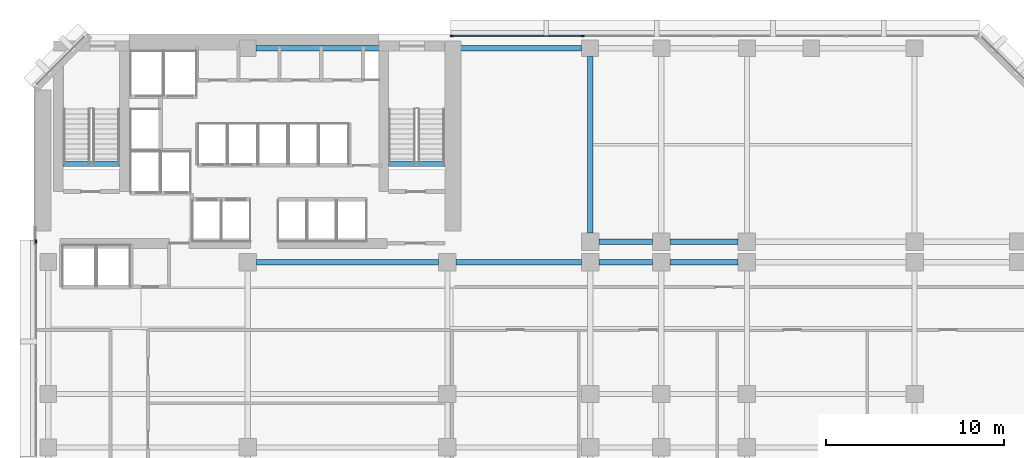
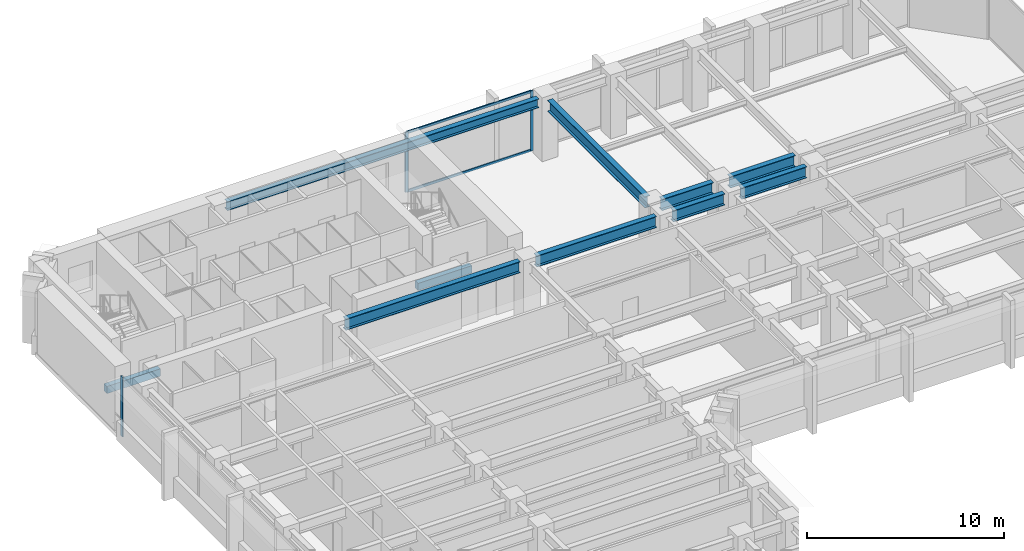
# One storey, part 4 of 13: 10 beams, 5 members, 2 elements without a shape of their own.
"""IFC4 building model written with IfcOpenShell, lengths in metres."""

from ifc_helpers import new_model, si_unit, direction, frame, origin, origin_2d, place, context, subcontext, project, spatial, rectangle, i_section, extrude, material, layer, layer_set, material_profile, profile_set, type_object, element, aggregate, save


model = new_model("IFC4")

# Units and contexts
model_context = context("Model", 3, precision=1e-05, world=origin(), true_north=direction((0.0, 1.0)))
body_context = subcontext(model_context, "Body", "Model", "MODEL_VIEW")
ifc_project = project(units=[si_unit("LENGTHUNIT", "METRE"), si_unit("AREAUNIT", "SQUARE_METRE"), si_unit("VOLUMEUNIT", "CUBIC_METRE"), si_unit("PLANEANGLEUNIT", "RADIAN"), si_unit("MASSUNIT", "GRAM", prefix="KILO")], contexts=[model_context])

# Site, building, storey
site_placement = place(None, origin())
site = spatial("IfcSite", under=ifc_project, at=site_placement, CompositionType="ELEMENT")
building_placement = place(site_placement, origin())
building = spatial("IfcBuilding", under=site, at=building_placement, Name="Kefirva Bronze Tower", CompositionType="ELEMENT")
storey_placement = place(building_placement, frame((0.0, 0.0, 81.840087890625)))
storey = spatial("IfcBuildingStorey", under=building, at=storey_placement, Name="L19", CompositionType="ELEMENT", Elevation=81.840087890625)

# Curtain wall, members
ifc_material_1 = material(Name="Bronze anodised aluminium", Category="aluminium")
ifc_layer = layer(ifc_material_1, 0.199951171875, Name="Bronze anodised aluminium")
ifc_layer_set = layer_set([ifc_layer], Name="Bronze anodised aluminium")
curtain_wall_type = type_object("IfcCurtainWallType", Name="Unitised Bronze Ribbon Curtain Wall Zone 1", PredefinedType="USERDEFINED", material=ifc_layer_set)
curtain_wall_1_placement = place(storey_placement, origin())
curtain_wall_1 = element("IfcCurtainWall", 1, at=curtain_wall_1_placement, inside=storey, type_object=curtain_wall_type, Name="L19 Curtain Wall 4", ObjectType="UNITISED CURTAIN WALL", PredefinedType="USERDEFINED")
ifc_material_profile_1 = material_profile(ifc_material_1, rectangle(XDim=0.074951171875, YDim=0.179931640625, at=origin_2d()), Name="ALU 75x180")
ifc_profile_set_1 = profile_set([ifc_material_profile_1], Name="Bronze anodised aluminium")
member_type_1 = type_object("IfcMemberType", Name="Bronze Mullion 75x180", PredefinedType="MULLION", material=ifc_profile_set_1)
member_1_placement = place(storey_placement, frame((30.7900390625, 45.8798828125, 0.0), z_axis=(0.0, 0.0, 1.0), x_axis=(0.0, -1.0, 0.0)))
member_1 = element("IfcMember", 2, at=member_1_placement, type_object=member_type_1, Name="CW-01 mullion 4", PredefinedType="MULLION", context=body_context, shape_type="SweptSolid", body=[
    extrude(rectangle(XDim=0.074951171875, YDim=0.179931640625, at=origin_2d()), origin(), (0.0, 0.0, 1.0), 3.7099609375),
])
member_2_placement = place(storey_placement, frame((23.4423828125, 45.8798828125, 0.0), z_axis=(0.0, 0.0, 1.0), x_axis=(0.0, -1.0, 0.0)))
member_2 = element("IfcMember", 3, at=member_2_placement, type_object=member_type_1, Name="CW-01 mullion 5", PredefinedType="MULLION", context=body_context, shape_type="SweptSolid", body=[
    extrude(rectangle(XDim=0.074951171875, YDim=0.179931640625, at=origin_2d()), origin(), (0.0, 0.0, 1.0), 3.7099609375),
])

# Curtain wall, member
curtain_wall_2_placement = place(storey_placement, origin())
curtain_wall_2 = element("IfcCurtainWall", 4, at=curtain_wall_2_placement, inside=storey, type_object=curtain_wall_type, Name="L19 Curtain Wall 5", ObjectType="UNITISED CURTAIN WALL", PredefinedType="USERDEFINED")
member_3_placement = place(storey_placement, frame((0.1201171875, 34.357421875, 0.0), z_axis=(0.0, 0.0, 1.0), x_axis=(1.0, 0.0, 0.0)))
member_3 = element("IfcMember", 5, at=member_3_placement, type_object=member_type_1, Name="CW-01 mullion 1", PredefinedType="MULLION", context=body_context, shape_type="SweptSolid", body=[
    extrude(rectangle(XDim=0.074951171875, YDim=0.179931640625, at=origin_2d()), origin(), (0.0, 0.0, 1.0), 3.7099609375),
])
aggregate(curtain_wall_2, [member_3])

# Member
ifc_material_profile_2 = material_profile(ifc_material_1, rectangle(XDim=0.074951171875, YDim=0.14990234375, at=origin_2d()), Name="ALU 75x150")
ifc_profile_set_2 = profile_set([ifc_material_profile_2], Name="Bronze anodised aluminium")
member_type_2 = type_object("IfcMemberType", Name="Bronze Transom 75x150", PredefinedType="USERDEFINED", material=ifc_profile_set_2)
member_4_placement = place(storey_placement, frame((30.75244140625, 45.8798828125, 0.037353515625), z_axis=(-1.0, 0.0, 0.0), x_axis=(0.0, -1.0, 0.0)))
member_4 = element("IfcMember", 6, at=member_4_placement, type_object=member_type_2, Name="CW-01 transom 4.1", ObjectType="TRANSOM", PredefinedType="USERDEFINED", context=body_context, shape_type="SweptSolid", body=[
    extrude(rectangle(XDim=0.074951171875, YDim=0.14990234375, at=origin_2d()), origin(), (0.0, 0.0, 1.0), 7.2724609375),
])

member_5_placement = place(storey_placement, frame((30.75244140625, 45.8798828125, 3.67236328125), z_axis=(-1.0, 0.0, 0.0), x_axis=(0.0, -1.0, 0.0)))
member_5 = element("IfcMember", 7, at=member_5_placement, type_object=member_type_2, Name="CW-01 transom 4.2", ObjectType="TRANSOM", PredefinedType="USERDEFINED", context=body_context, shape_type="SweptSolid", body=[
    extrude(rectangle(XDim=0.074951171875, YDim=0.14990234375, at=origin_2d()), origin(), (0.0, 0.0, 1.0), 7.2724609375),
])

aggregate(curtain_wall_1, [member_1, member_2, member_4, member_5])

# Beams
ifc_material_2 = material(Name="Concrete C50/60", Category="concrete")
ifc_material_profile_3 = material_profile(ifc_material_2, rectangle(XDim=0.300048828125, YDim=0.449951171875, at=origin_2d()), Name="RC 300x450")
ifc_profile_set_3 = profile_set([ifc_material_profile_3], Name="Concrete C50/60")
beam_type_1 = type_object("IfcBeamType", Name="RC Stair Trimmer Beam 300x450", PredefinedType="BEAM", material=ifc_profile_set_3)
beam_1_placement = place(storey_placement, frame((1.64501953125, 38.699951171875, -0.22509765625), z_axis=(1.0, 0.0, 0.0), x_axis=(0.0, 1.0, 0.0)))
element("IfcBeam", 8, at=beam_1_placement, inside=storey, type_object=beam_type_1, Name="L19 Stair 1 Landing Trimmer Beam", PredefinedType="BEAM", context=body_context, shape_type="SweptSolid", body=[
    extrude(rectangle(XDim=0.300048828125, YDim=0.449951171875, at=origin_2d()), origin(), (0.0, 0.0, 1.0), 3.14990234375),
])
beam_2_placement = place(storey_placement, frame((19.89501953125, 38.699951171875, -0.22509765625), z_axis=(1.0, 0.0, 0.0), x_axis=(0.0, 1.0, 0.0)))
element("IfcBeam", 9, at=beam_2_placement, inside=storey, type_object=beam_type_1, Name="L19 Stair 2 Landing Trimmer Beam", PredefinedType="BEAM", context=body_context, shape_type="SweptSolid", body=[
    extrude(rectangle(XDim=0.300048828125, YDim=0.449951171875, at=origin_2d()), origin(), (0.0, 0.0, 1.0), 3.159912109375),
])
ifc_material_3 = material(Name="Steel S355", Category="steel")
ifc_material_profile_4 = material_profile(ifc_material_3, i_section(OverallWidth=0.300048828125, OverallDepth=0.699951171875, WebThickness=0.01708984375, FlangeThickness=0.031982421875, at=origin_2d()), Name="HEB 700")
ifc_profile_set_4 = profile_set([ifc_material_profile_4], Name="Steel S355")
beam_type_2 = type_object("IfcBeamType", Name="Steel Girder HEB 700", PredefinedType="USERDEFINED", material=ifc_profile_set_4)
beam_3_placement = place(storey_placement, frame((12.489990234375, 33.199951171875, 3.35986328125), z_axis=(1.0, 0.0, 0.0), x_axis=(0.0, 1.0, 0.0)))
element("IfcBeam", 10, at=beam_3_placement, inside=storey, type_object=beam_type_2, Name="L19 BM-L19-EW-12-332", ObjectType="GIRDER", PredefinedType="USERDEFINED", context=body_context, shape_type="SweptSolid", body=[
    extrude(i_section(OverallWidth=0.300048828125, OverallDepth=0.699951171875, WebThickness=0.01708984375, FlangeThickness=0.031982421875, at=origin_2d()), origin(), (0.0, 0.0, 1.0), 10.219970703125),
])
beam_4_placement = place(storey_placement, frame((23.68994140625, 33.199951171875, 3.35986328125), z_axis=(1.0, 0.0, 0.0), x_axis=(0.0, 1.0, 0.0)))
element("IfcBeam", 11, at=beam_4_placement, inside=storey, type_object=beam_type_2, Name="L19 BM-L19-EW-23-332", ObjectType="GIRDER", PredefinedType="USERDEFINED", context=body_context, shape_type="SweptSolid", body=[
    extrude(i_section(OverallWidth=0.300048828125, OverallDepth=0.699951171875, WebThickness=0.01708984375, FlangeThickness=0.031982421875, at=origin_2d()), origin(), (0.0, 0.0, 1.0), 7.02001953125),
])
beam_5_placement = place(storey_placement, frame((31.68994140625, 33.199951171875, 3.35986328125), z_axis=(1.0, 0.0, 0.0), x_axis=(0.0, 1.0, 0.0)))
element("IfcBeam", 12, at=beam_5_placement, inside=storey, type_object=beam_type_2, Name="L19 BM-L19-EW-31-332", ObjectType="GIRDER", PredefinedType="USERDEFINED", context=body_context, shape_type="SweptSolid", body=[
    extrude(i_section(OverallWidth=0.300048828125, OverallDepth=0.699951171875, WebThickness=0.01708984375, FlangeThickness=0.031982421875, at=origin_2d()), origin(), (0.0, 0.0, 1.0), 3.02001953125),
])
beam_6_placement = place(storey_placement, frame((35.68994140625, 33.199951171875, 3.35986328125), z_axis=(1.0, 0.0, 0.0), x_axis=(0.0, 1.0, 0.0)))
element("IfcBeam", 13, at=beam_6_placement, inside=storey, type_object=beam_type_2, Name="L19 BM-L19-EW-35-332", ObjectType="GIRDER", PredefinedType="USERDEFINED", context=body_context, shape_type="SweptSolid", body=[
    extrude(i_section(OverallWidth=0.300048828125, OverallDepth=0.699951171875, WebThickness=0.01708984375, FlangeThickness=0.031982421875, at=origin_2d()), origin(), (0.0, 0.0, 1.0), 3.820068359375),
])
beam_7_placement = place(storey_placement, frame((31.68994140625, 34.35009765625, 3.35986328125), z_axis=(1.0, 0.0, 0.0), x_axis=(0.0, 1.0, 0.0)))
element("IfcBeam", 14, at=beam_7_placement, inside=storey, type_object=beam_type_2, Name="L19 BM-L19-EW-31-344", ObjectType="GIRDER", PredefinedType="USERDEFINED", context=body_context, shape_type="SweptSolid", body=[
    extrude(i_section(OverallWidth=0.300048828125, OverallDepth=0.699951171875, WebThickness=0.01708984375, FlangeThickness=0.031982421875, at=origin_2d()), origin(), (0.0, 0.0, 1.0), 3.02001953125),
])
beam_8_placement = place(storey_placement, frame((35.68994140625, 34.35009765625, 3.35986328125), z_axis=(1.0, 0.0, 0.0), x_axis=(0.0, 1.0, 0.0)))
element("IfcBeam", 15, at=beam_8_placement, inside=storey, type_object=beam_type_2, Name="L19 BM-L19-EW-35-344", ObjectType="GIRDER", PredefinedType="USERDEFINED", context=body_context, shape_type="SweptSolid", body=[
    extrude(i_section(OverallWidth=0.300048828125, OverallDepth=0.699951171875, WebThickness=0.01708984375, FlangeThickness=0.031982421875, at=origin_2d()), origin(), (0.0, 0.0, 1.0), 3.820068359375),
])
beam_9_placement = place(storey_placement, frame((31.199951171875, 34.840087890625, 3.35986328125), z_axis=(0.0, 1.0, 0.0), x_axis=(-1.0, 0.0, 0.0)))
element("IfcBeam", 16, at=beam_9_placement, inside=storey, type_object=beam_type_2, Name="L19 BM-L19-NS-312-34", ObjectType="GIRDER", PredefinedType="USERDEFINED", context=body_context, shape_type="SweptSolid", body=[
    extrude(i_section(OverallWidth=0.300048828125, OverallDepth=0.699951171875, WebThickness=0.01708984375, FlangeThickness=0.031982421875, at=origin_2d()), origin(), (0.0, 0.0, 1.0), 9.889892578125),
])
ifc_material_profile_5 = material_profile(ifc_material_3, i_section(OverallWidth=0.300048828125, OverallDepth=0.550048828125, WebThickness=0.014892578125, FlangeThickness=0.029052734375, at=origin_2d()), Name="HEB 550")
ifc_profile_set_5 = profile_set([ifc_material_profile_5], Name="Steel S355")
beam_type_3 = type_object("IfcBeamType", Name="Steel Spandrel HEB 550 Ext", PredefinedType="SPANDREL", material=ifc_profile_set_5)
beam_10_placement = place(storey_placement, frame((12.469970703125, 45.199951171875, 3.434814453125), z_axis=(1.0, 0.0, 0.0), x_axis=(0.0, 1.0, 0.0)))
element("IfcBeam", 17, at=beam_10_placement, inside=storey, type_object=beam_type_3, Name="L19 BM-L19-EW-12-452", PredefinedType="SPANDREL", context=body_context, shape_type="SweptSolid", body=[
    extrude(i_section(OverallWidth=0.300048828125, OverallDepth=0.550048828125, WebThickness=0.014892578125, FlangeThickness=0.029052734375, at=origin_2d()), origin(), (0.0, 0.0, 1.0), 18.260009765625),
])

save(model, "model.ifc")
